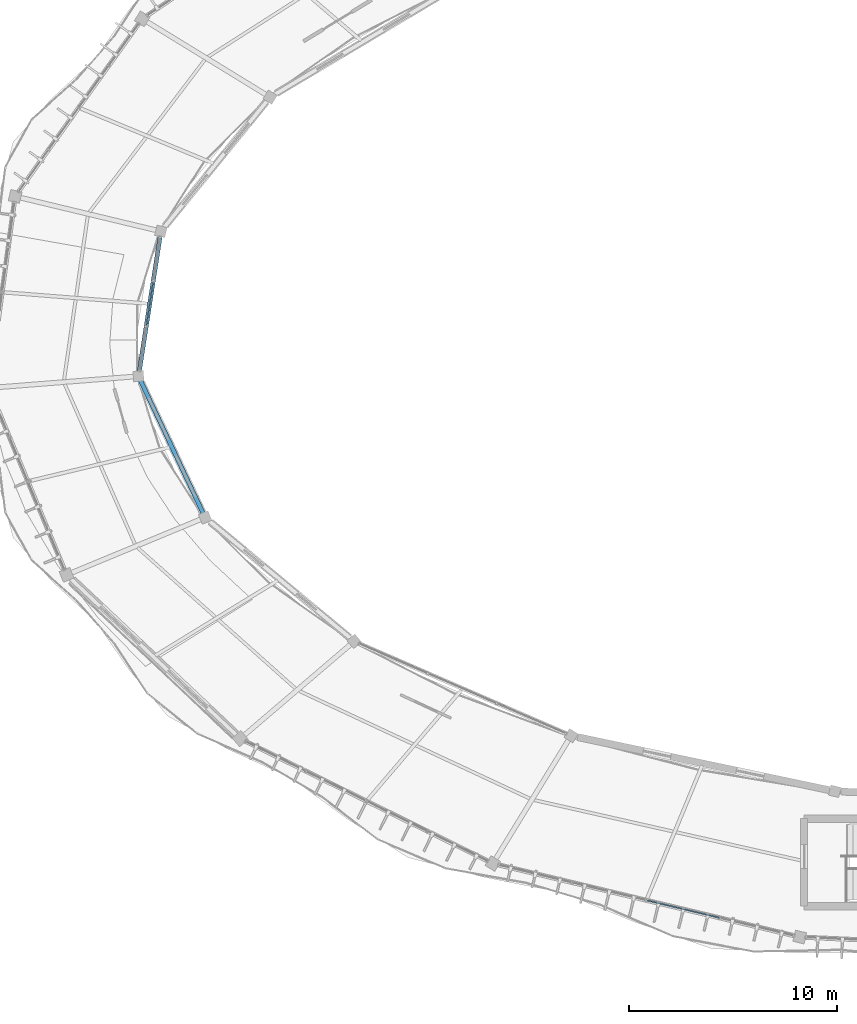
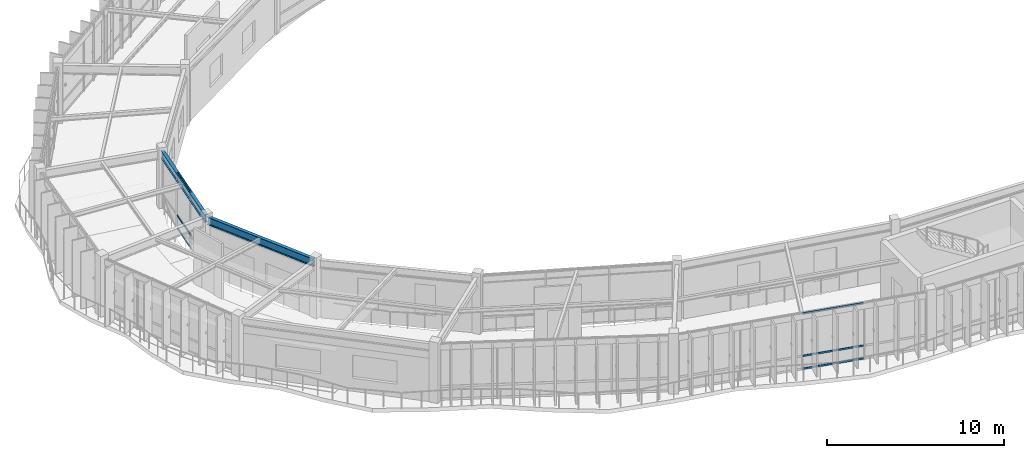
# One storey, part 11 of 79: 6 members, 2 beams, 2 elements without a shape of their own.
"""IFC4 building model written with IfcOpenShell, lengths in metres."""

from ifc_helpers import new_model, si_unit, direction, frame, origin, origin_2d, place, context, subcontext, project, spatial, hollow_rectangle, i_section, extrude, material, material_profile, profile_set, type_object, element, aggregate, save


model = new_model("IFC4")

# Units and contexts
model_context = context("Model", 3, precision=1e-05, world=origin(), true_north=direction((0.0, 1.0)))
body_context = subcontext(model_context, "Body", "Model", "MODEL_VIEW")
ifc_project = project(units=[si_unit("LENGTHUNIT", "METRE"), si_unit("AREAUNIT", "SQUARE_METRE"), si_unit("VOLUMEUNIT", "CUBIC_METRE"), si_unit("PLANEANGLEUNIT", "RADIAN"), si_unit("MASSUNIT", "GRAM", prefix="KILO"), si_unit("THERMODYNAMICTEMPERATUREUNIT", "KELVIN"), si_unit("POWERUNIT", "WATT")], contexts=[model_context])

# Site, building, storey
site_placement = place(None, origin())
site = spatial("IfcSite", under=ifc_project, at=site_placement, CompositionType="ELEMENT")
building_placement = place(site_placement, origin())
building = spatial("IfcBuilding", under=site, at=building_placement, Name="Darbajah Civic Hall", CompositionType="ELEMENT")
storey_placement = place(building_placement, frame((0.0, 0.0, 22.199951171875)))
storey = spatial("IfcBuildingStorey", under=building, at=storey_placement, Name="L05", CompositionType="ELEMENT", Elevation=22.199951171875)

# Curtain wall, members
ifc_material_1 = material(Name="Anodised Bronze Aluminium and Low-E Glazing", Category="aluminium")
curtain_wall_type_1 = type_object("IfcCurtainWallType", Name="Unitised Curtain Wall CW-70 6500x3900", PredefinedType="USERDEFINED", material=ifc_material_1)
curtain_wall_1_placement = place(storey_placement, origin())
curtain_wall_1 = element("IfcCurtainWall", 1, at=curtain_wall_1_placement, inside=storey, type_object=curtain_wall_type_1, Name="L05 unitised curtain wall CW-V1I-L05-09", ObjectType="UNITISED CURTAIN WALL", PredefinedType="USERDEFINED")
ifc_material_2 = material(Name="Anodised Bronze Aluminium", Category="aluminium")
ifc_material_profile_1 = material_profile(ifc_material_2, hollow_rectangle(XDim=0.06005859375, YDim=0.1201171875, WallThickness=0.003173828125, at=origin_2d()), Name="ALU TRANSOM 60x120")
ifc_profile_set_1 = profile_set([ifc_material_profile_1], Name="Anodised Bronze Aluminium")
member_type = type_object("IfcMemberType", Name="ALU TRANSOM 60x120", PredefinedType="USERDEFINED", material=ifc_profile_set_1)
member_1_placement = place(storey_placement, frame((46.133544921875, 92.569580078125, 0.06005859375), z_axis=(-0.152779573748, -0.988260290534, 0.0), x_axis=(0.988260290534, -0.152779573748, 0.0)))
member_1 = element("IfcMember", 2, at=member_1_placement, type_object=member_type, Name="CW-V1I-L05-09 transom 2.1", ObjectType="TRANSOM", PredefinedType="USERDEFINED", context=body_context, shape_type="SweptSolid", body=[
    extrude(hollow_rectangle(XDim=0.06005859375, YDim=0.1201171875, WallThickness=0.003173828125, at=origin_2d()), origin(), (0.0, 0.0, 1.0), 2.107666015625),
])
member_2_placement = place(storey_placement, frame((46.133544921875, 92.569580078125, 0.949951171875), z_axis=(-0.152779573748, -0.988260290534, 0.0), x_axis=(0.988260290534, -0.152779573748, 0.0)))
member_2 = element("IfcMember", 3, at=member_2_placement, type_object=member_type, Name="CW-V1I-L05-09 transom 2.2", ObjectType="TRANSOM", PredefinedType="USERDEFINED", context=body_context, shape_type="SweptSolid", body=[
    extrude(hollow_rectangle(XDim=0.06005859375, YDim=0.1201171875, WallThickness=0.003173828125, at=origin_2d()), origin(), (0.0, 0.0, 1.0), 2.107666015625),
])
member_3_placement = place(storey_placement, frame((46.133544921875, 92.569580078125, 3.860107421875), z_axis=(-0.152779573748, -0.988260290534, 0.0), x_axis=(0.988260290534, -0.152779573748, 0.0)))
member_3 = element("IfcMember", 4, at=member_3_placement, type_object=member_type, Name="CW-V1I-L05-09 transom 2.3", ObjectType="TRANSOM", PredefinedType="USERDEFINED", context=body_context, shape_type="SweptSolid", body=[
    extrude(hollow_rectangle(XDim=0.06005859375, YDim=0.1201171875, WallThickness=0.003173828125, at=origin_2d()), origin(), (0.0, 0.0, 1.0), 2.107666015625),
])
aggregate(curtain_wall_1, [member_1, member_2, member_3])

curtain_wall_type_2 = type_object("IfcCurtainWallType", Name="Unitised Curtain Wall CW-71 14600x3900", PredefinedType="USERDEFINED", material=ifc_material_1)
curtain_wall_2_placement = place(storey_placement, origin())
curtain_wall_2 = element("IfcCurtainWall", 5, at=curtain_wall_2_placement, inside=storey, type_object=curtain_wall_type_2, Name="L05 unitised curtain wall CW-V1O-L05-13", ObjectType="UNITISED CURTAIN WALL", PredefinedType="USERDEFINED")
member_4_placement = place(storey_placement, frame((69.857421875, 62.872802734375, 0.06005859375), z_axis=(0.972489313862, -0.232947492847, 0.0), x_axis=(0.232947492847, 0.972489313862, 0.0)))
member_4 = element("IfcMember", 6, at=member_4_placement, type_object=member_type, Name="CW-V1O-L05-13 transom 3.1", ObjectType="TRANSOM", PredefinedType="USERDEFINED", context=body_context, shape_type="SweptSolid", body=[
    extrude(hollow_rectangle(XDim=0.06005859375, YDim=0.1201171875, WallThickness=0.003173828125, at=origin_2d()), origin(), (0.0, 0.0, 1.0), 3.581298828125),
])
member_5_placement = place(storey_placement, frame((69.857421875, 62.872802734375, 0.949951171875), z_axis=(0.972489313862, -0.232947492847, 0.0), x_axis=(0.232947492847, 0.972489313862, 0.0)))
member_5 = element("IfcMember", 7, at=member_5_placement, type_object=member_type, Name="CW-V1O-L05-13 transom 3.2", ObjectType="TRANSOM", PredefinedType="USERDEFINED", context=body_context, shape_type="SweptSolid", body=[
    extrude(hollow_rectangle(XDim=0.06005859375, YDim=0.1201171875, WallThickness=0.003173828125, at=origin_2d()), origin(), (0.0, 0.0, 1.0), 3.581298828125),
])
member_6_placement = place(storey_placement, frame((69.857421875, 62.872802734375, 3.860107421875), z_axis=(0.972489313862, -0.232947492847, 0.0), x_axis=(0.232947492847, 0.972489313862, 0.0)))
member_6 = element("IfcMember", 8, at=member_6_placement, type_object=member_type, Name="CW-V1O-L05-13 transom 3.3", ObjectType="TRANSOM", PredefinedType="USERDEFINED", context=body_context, shape_type="SweptSolid", body=[
    extrude(hollow_rectangle(XDim=0.06005859375, YDim=0.1201171875, WallThickness=0.003173828125, at=origin_2d()), origin(), (0.0, 0.0, 1.0), 3.581298828125),
])
aggregate(curtain_wall_2, [member_4, member_5, member_6])

# Beams
ifc_material_3 = material(Name="Steel S355JR", Category="steel")
ifc_material_profile_2 = material_profile(ifc_material_3, i_section(OverallWidth=0.209228515625, OverallDepth=0.533203125, WebThickness=0.010009765625, FlangeThickness=0.015625, FilletRadius=0.0126953125, at=origin_2d()), Name="UB 533x210x92")
ifc_profile_set_2 = profile_set([ifc_material_profile_2], Name="Steel S355JR")
beam_type = type_object("IfcBeamType", Name="UB 533x210x92", PredefinedType="BEAM", material=ifc_profile_set_2)
beam_1_placement = place(storey_placement, frame((46.498046875, 94.9267578125, 3.653564453125), z_axis=(-0.152771975645, -0.988261465128, 0.0), x_axis=(0.988261465128, -0.152771975645, 0.0)))
element("IfcBeam", 9, at=beam_1_placement, inside=storey, type_object=beam_type, Name="L05 beam SB-533", PredefinedType="BEAM", context=body_context, shape_type="SweptSolid", body=[
    extrude(i_section(OverallWidth=0.209228515625, OverallDepth=0.533203125, WebThickness=0.010009765625, FlangeThickness=0.015625, FilletRadius=0.0126953125, at=origin_2d()), origin(), (0.0, 0.0, 1.0), 6.878173828125),
])
beam_2_placement = place(storey_placement, frame((45.468994140625, 87.97802734375, 3.653564453125), z_axis=(0.426541677675, -0.904467908334, 0.0), x_axis=(0.904467908334, 0.426541677675, 0.0)))
element("IfcBeam", 10, at=beam_2_placement, inside=storey, type_object=beam_type, Name="L05 beam SB-533", PredefinedType="BEAM", context=body_context, shape_type="SweptSolid", body=[
    extrude(i_section(OverallWidth=0.209228515625, OverallDepth=0.533203125, WebThickness=0.010009765625, FlangeThickness=0.015625, FilletRadius=0.0126953125, at=origin_2d()), origin(), (0.0, 0.0, 1.0), 7.340576171875),
])

save(model, "model.ifc")
